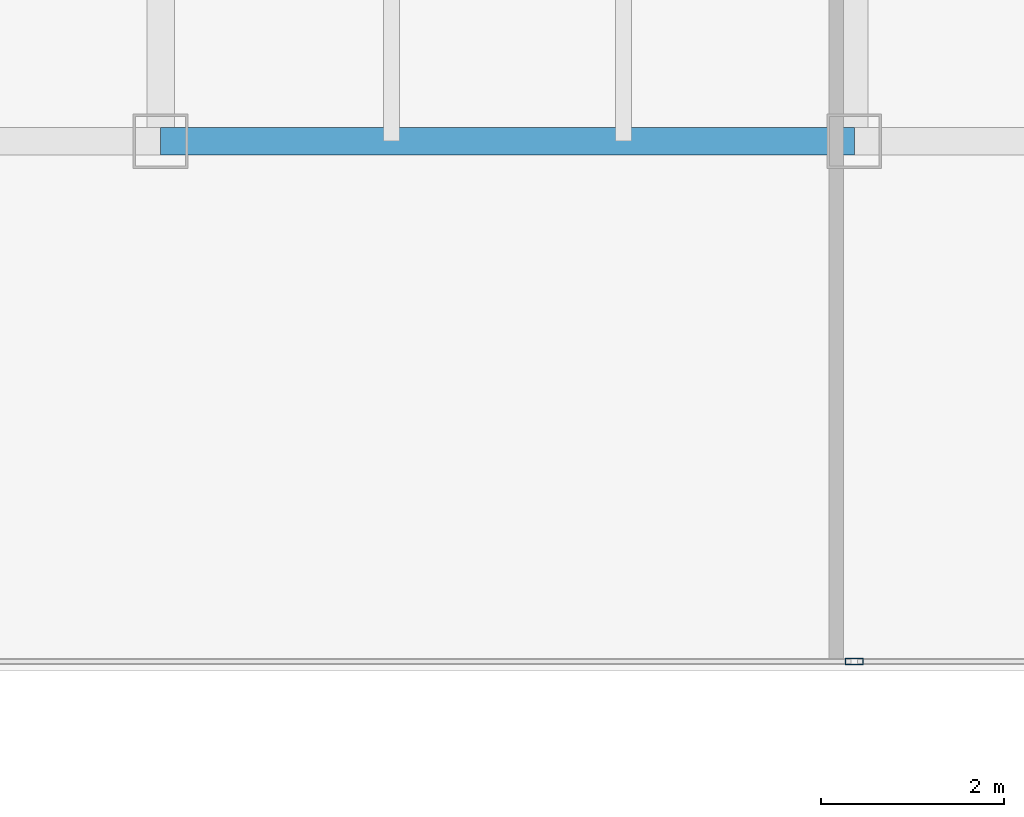
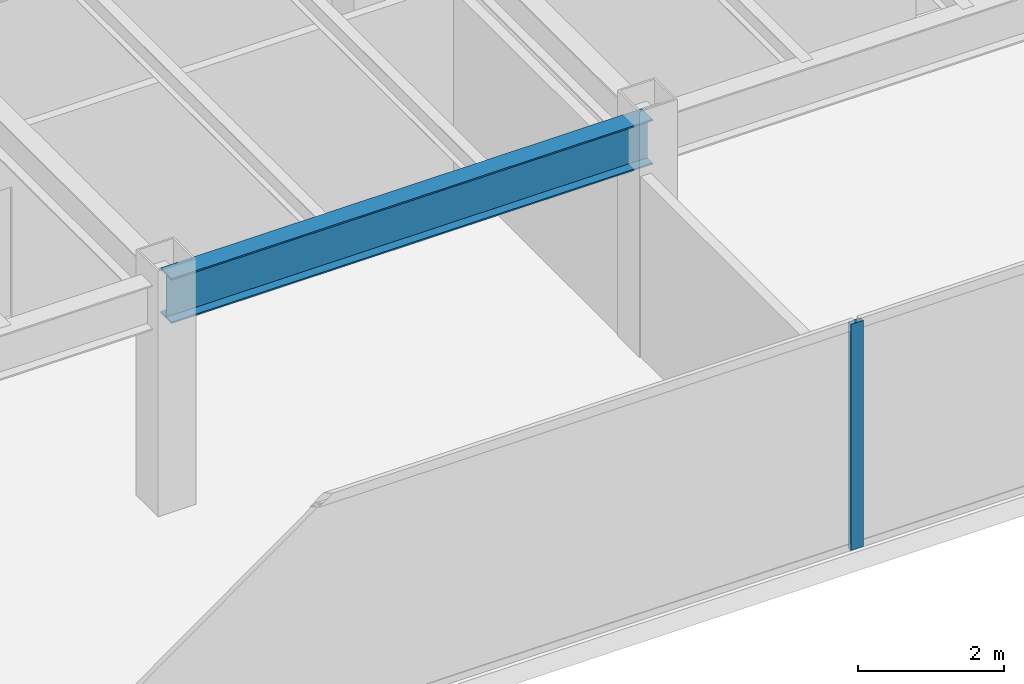
# One storey, part 8 of 35: 1 beam, 1 member, 1 element without a shape of its own.
"""IFC4 building model written with IfcOpenShell, lengths in metres."""

from ifc_helpers import new_model, si_unit, direction, frame, origin, origin_2d, place, context, subcontext, project, spatial, hollow_rectangle, i_section, extrude, source, transform, mapped, material, layer, layer_set, material_profile, profile_set, type_object, type_shapes, element, aggregate, save


model = new_model("IFC4")

# Units and contexts
model_context = context("Model", 3, precision=1e-05, world=origin(), true_north=direction((0.0, 1.0)))
body_context = subcontext(model_context, "Body", "Model", "MODEL_VIEW")
ifc_project = project(units=[si_unit("LENGTHUNIT", "METRE"), si_unit("AREAUNIT", "SQUARE_METRE"), si_unit("VOLUMEUNIT", "CUBIC_METRE"), si_unit("PLANEANGLEUNIT", "RADIAN"), si_unit("MASSUNIT", "GRAM", prefix="KILO")], contexts=[model_context])

# Site, building, storey
site_placement = place(None, origin())
site = spatial("IfcSite", under=ifc_project, at=site_placement, CompositionType="ELEMENT")
building_placement = place(site_placement, origin())
building = spatial("IfcBuilding", under=site, at=building_placement, Name="Haelvirn Gate Laboratories", CompositionType="ELEMENT")
storey_placement = place(building_placement, frame((0.0, 0.0, 66.199951171875)))
storey = spatial("IfcBuildingStorey", under=building, at=storey_placement, Name="L16", CompositionType="ELEMENT", Elevation=66.199951171875)

# Beam
ifc_material_1 = material(Name="Steel SM355", Category="steel")
ifc_material_profile_1 = material_profile(ifc_material_1, i_section(OverallWidth=0.300048828125, OverallDepth=0.75, WebThickness=0.013916015625, FlangeThickness=0.02392578125, at=origin_2d()), Name="H-750x300x14x24")
ifc_profile_set_1 = profile_set([ifc_material_profile_1], Name="Steel SM355")
beam_type = type_object("IfcBeamType", Name="BM-G-750", PredefinedType="BEAM", material=ifc_profile_set_1)
shared_shape_1 = source(origin(), body_context, "Body", "SweptSolid", [
    extrude(i_section(OverallWidth=0.300048828125, OverallDepth=0.75, WebThickness=0.013916015625, FlangeThickness=0.02392578125, at=origin_2d()), origin(), (0.0, 0.0, 1.0), 7.599853515625),
])
type_shapes(beam_type, [shared_shape_1])
beam_placement = place(storey_placement, frame((29.800048828125, 7.0, 3.405029296875), z_axis=(1.0, 0.0, 0.0), x_axis=(0.0, 1.0, 0.0)))
element("IfcBeam", 1, at=beam_placement, inside=storey, type_object=beam_type, Name="L16 Primary Girder Y7.0 (29.8-37.4)", PredefinedType="BEAM", context=body_context, shape_type="MappedRepresentation", body=[
    mapped(shared_shape_1, transform((0.0, 0.0, 0.0), scale=1.0)),
])

# Curtain wall, member
ifc_material_2 = material(Name="Anodised bronze unitised aluminium & triple low-E glass", Category="aluminium")
ifc_layer = layer(ifc_material_2, 0.18408203125, Name="CW-SYS-2")
ifc_layer_set = layer_set([ifc_layer], Name="Anodised bronze unitised aluminium & triple low-E glass")
curtain_wall_type = type_object("IfcCurtainWallType", Name="CW-SYS-2", PredefinedType="NOTDEFINED", material=ifc_layer_set)
curtain_wall_placement = place(storey_placement, origin())
curtain_wall = element("IfcCurtainWall", 2, at=curtain_wall_placement, inside=storey, type_object=curtain_wall_type, Name="L16 Unitised Curtain Wall CW-L16-P0-E02-1", PredefinedType="NOTDEFINED")
ifc_material_3 = material(Name="Extruded aluminium 6063-T6 (anodised bronze)", Category="aluminium")
ifc_material_profile_2 = material_profile(ifc_material_3, hollow_rectangle(XDim=0.074951171875, YDim=0.199951171875, WallThickness=0.0048828125, at=origin_2d()), Name="CWM-200x75x5")
ifc_profile_set_2 = profile_set([ifc_material_profile_2], Name="Extruded aluminium 6063-T6 (anodised bronze)")
member_type = type_object("IfcMemberType", Name="CWM-T200", PredefinedType="MULLION", material=ifc_profile_set_2)
shared_shape_2 = source(origin(), body_context, "Body", "SweptSolid", [
    extrude(hollow_rectangle(XDim=0.074951171875, YDim=0.199951171875, WallThickness=0.0048828125, at=origin_2d()), origin(), (0.0, 0.0, 1.0), 3.780029296875),
])
type_shapes(member_type, [shared_shape_2])
member_placement = place(storey_placement, frame((37.39990234375, 1.300048828125, 0.0), z_axis=(0.0, 0.0, 1.0), x_axis=(0.0, 1.0, 0.0)))
member = element("IfcMember", 3, at=member_placement, type_object=member_type, Name="CW2 mullion 2", PredefinedType="MULLION", context=body_context, shape_type="MappedRepresentation", body=[
    mapped(shared_shape_2, transform((0.0, 0.0, 0.0), scale=1.0)),
])
aggregate(curtain_wall, [member])

save(model, "model.ifc")
